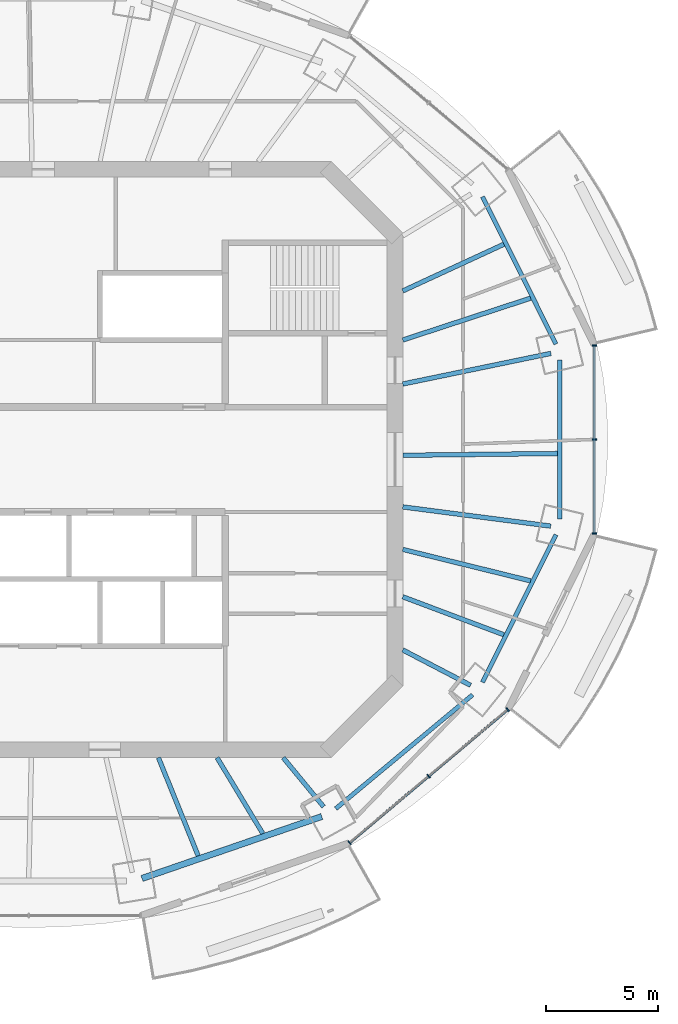
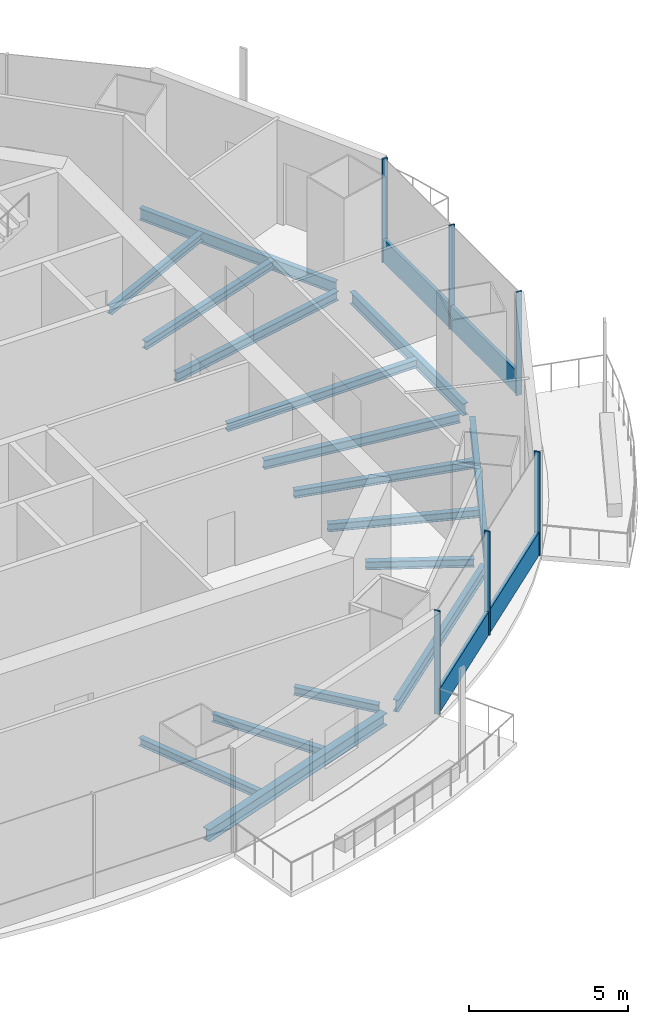
# One storey, part 4 of 16: 16 beams, 8 members, 2 elements without a shape of their own.
"""IFC4 building model written with IfcOpenShell, lengths in metres."""

from ifc_helpers import new_model, si_unit, direction, frame, origin, origin_2d, place, context, subcontext, project, spatial, rectangle, i_section, extrude, material, material_profile, profile_set, type_object, element, aggregate, save


model = new_model("IFC4")

# Units and contexts
model_context = context("Model", 3, precision=1e-05, world=origin(), true_north=direction((0.0, 1.0)))
body_context = subcontext(model_context, "Body", "Model", "MODEL_VIEW")
ifc_project = project(units=[si_unit("LENGTHUNIT", "METRE"), si_unit("AREAUNIT", "SQUARE_METRE"), si_unit("VOLUMEUNIT", "CUBIC_METRE"), si_unit("PLANEANGLEUNIT", "RADIAN"), si_unit("MASSUNIT", "GRAM", prefix="KILO")], contexts=[model_context])

# Site, building, storey
site_placement = place(None, origin())
site = spatial("IfcSite", under=ifc_project, at=site_placement, CompositionType="ELEMENT")
building_placement = place(site_placement, origin())
building = spatial("IfcBuilding", under=site, at=building_placement, Name="Marenthal Gate Tower", CompositionType="ELEMENT")
storey_placement = place(building_placement, frame((0.0, 0.0, 375.800048828125)))
storey = spatial("IfcBuildingStorey", under=building, at=storey_placement, Name="L85", CompositionType="ELEMENT", Elevation=375.800048828125)

# Curtain wall, members
ifc_material_1 = material(Name="Aluminium and glass", Category="aluminium")
curtain_wall_type = type_object("IfcCurtainWallType", Name="Curtain wall typical high", PredefinedType="NOTDEFINED", material=ifc_material_1)
curtain_wall_1_placement = place(storey_placement, origin())
curtain_wall_1 = element("IfcCurtainWall", 1, at=curtain_wall_1_placement, inside=storey, type_object=curtain_wall_type, Name="Curtain wall L85 bay 14", PredefinedType="NOTDEFINED")
ifc_material_2 = material(Name="Aluminium", Category="aluminium")
ifc_material_profile_1 = material_profile(ifc_material_2, rectangle(XDim=0.199951171875, YDim=0.06005859375, at=origin_2d()), Name="60x200 aluminium mullion")
ifc_profile_set_1 = profile_set([ifc_material_profile_1], Name="Aluminium")
member_type_1 = type_object("IfcMemberType", Name="Mullion 60x200 typical high", PredefinedType="MULLION", material=ifc_profile_set_1)
member_1_placement = place(storey_placement, frame((13.96875, -17.160888671875, 0.0), z_axis=(0.0, 0.0, 1.0), x_axis=(-0.64413508453, 0.764911754961, 0.0)))
member_1 = element("IfcMember", 2, at=member_1_placement, type_object=member_type_1, Name="Mullion L85 bay 14.1", PredefinedType="MULLION", context=body_context, shape_type="SweptSolid", body=[
    extrude(rectangle(XDim=0.199951171875, YDim=0.06005859375, at=origin_2d()), origin(), (0.0, 0.0, 1.0), 3.969970703125),
])
member_2_placement = place(storey_placement, frame((17.508056640625, -14.1806640625, 0.0), z_axis=(0.0, 0.0, 1.0), x_axis=(-0.64413508453, 0.764911754961, 0.0)))
member_2 = element("IfcMember", 3, at=member_2_placement, type_object=member_type_1, Name="Mullion L85 bay 14.2", PredefinedType="MULLION", context=body_context, shape_type="SweptSolid", body=[
    extrude(rectangle(XDim=0.199951171875, YDim=0.06005859375, at=origin_2d()), origin(), (0.0, 0.0, 1.0), 3.969970703125),
])
member_3_placement = place(storey_placement, frame((21.04736328125, -11.2001953125, 0.0), z_axis=(0.0, 0.0, 1.0), x_axis=(-0.64413508453, 0.764911754961, 0.0)))
member_3 = element("IfcMember", 4, at=member_3_placement, type_object=member_type_1, Name="Mullion L85 bay 14.3", PredefinedType="MULLION", context=body_context, shape_type="SweptSolid", body=[
    extrude(rectangle(XDim=0.199951171875, YDim=0.06005859375, at=origin_2d()), origin(), (0.0, 0.0, 1.0), 3.969970703125),
])

curtain_wall_2_placement = place(storey_placement, origin())
curtain_wall_2 = element("IfcCurtainWall", 5, at=curtain_wall_2_placement, inside=storey, type_object=curtain_wall_type, Name="Curtain wall L85 bay 16", PredefinedType="NOTDEFINED")
member_4_placement = place(storey_placement, frame((24.92578125, -3.312255859375, 0.0), z_axis=(0.0, 0.0, 1.0), x_axis=(-1.0, 0.0, 0.0)))
member_4 = element("IfcMember", 6, at=member_4_placement, type_object=member_type_1, Name="Mullion L85 bay 16.1", PredefinedType="MULLION", context=body_context, shape_type="SweptSolid", body=[
    extrude(rectangle(XDim=0.199951171875, YDim=0.06005859375, at=origin_2d()), origin(), (0.0, 0.0, 1.0), 3.969970703125),
])
member_5_placement = place(storey_placement, frame((24.92578125, 0.89990234375, 0.0), z_axis=(0.0, 0.0, 1.0), x_axis=(-1.0, 0.0, 0.0)))
member_5 = element("IfcMember", 7, at=member_5_placement, type_object=member_type_1, Name="Mullion L85 bay 16.2", PredefinedType="MULLION", context=body_context, shape_type="SweptSolid", body=[
    extrude(rectangle(XDim=0.199951171875, YDim=0.06005859375, at=origin_2d()), origin(), (0.0, 0.0, 1.0), 3.969970703125),
])
member_6_placement = place(storey_placement, frame((24.92578125, 5.1123046875, 0.0), z_axis=(0.0, 0.0, 1.0), x_axis=(-1.0, 0.0, 0.0)))
member_6 = element("IfcMember", 8, at=member_6_placement, type_object=member_type_1, Name="Mullion L85 bay 16.3", PredefinedType="MULLION", context=body_context, shape_type="SweptSolid", body=[
    extrude(rectangle(XDim=0.199951171875, YDim=0.06005859375, at=origin_2d()), origin(), (0.0, 0.0, 1.0), 3.969970703125),
])

# Member
ifc_material_3 = material(Name="Aluminium", Category="aluminium")
ifc_material_profile_2 = material_profile(ifc_material_3, rectangle(XDim=0.1201171875, YDim=0.89990234375, at=origin_2d()), Name="120x900 aluminium transom")
ifc_profile_set_2 = profile_set([ifc_material_profile_2], Name="Aluminium")
member_type_2 = type_object("IfcMemberType", Name="Transom 120x900 typical high", PredefinedType="USERDEFINED", material=ifc_profile_set_2)
member_7_placement = place(storey_placement, frame((13.99169921875, -17.1416015625, 0.449951171875), z_axis=(0.764920149863, 0.644125115435, 0.0), x_axis=(-0.644125115435, 0.764920149863, 0.0)))
member_7 = element("IfcMember", 9, at=member_7_placement, type_object=member_type_2, Name="Transom L85 bay 14", ObjectType="TRANSOM", PredefinedType="USERDEFINED", context=body_context, shape_type="SweptSolid", body=[
    extrude(rectangle(XDim=0.1201171875, YDim=0.89990234375, at=origin_2d()), origin(), (0.0, 0.0, 1.0), 9.194091796875),
])

aggregate(curtain_wall_1, [member_1, member_2, member_3, member_7])

member_8_placement = place(storey_placement, frame((24.92578125, -3.2822265625, 0.449951171875), z_axis=(0.0, 1.0, 0.0), x_axis=(-1.0, 0.0, 0.0)))
member_8 = element("IfcMember", 10, at=member_8_placement, type_object=member_type_2, Name="Transom L85 bay 16", ObjectType="TRANSOM", PredefinedType="USERDEFINED", context=body_context, shape_type="SweptSolid", body=[
    extrude(rectangle(XDim=0.1201171875, YDim=0.89990234375, at=origin_2d()), origin(), (0.0, 0.0, 1.0), 8.364501953125),
])

aggregate(curtain_wall_2, [member_4, member_5, member_6, member_8])

# Beams
ifc_material_4 = material(Name="Steel S355", Category="steel")
ifc_material_profile_3 = material_profile(ifc_material_4, i_section(OverallWidth=0.202880859375, OverallDepth=0.302001953125, WebThickness=0.007568359375, FlangeThickness=0.01318359375, FilletRadius=0.0126953125, at=origin_2d()), Name="W310X60")
ifc_profile_set_3 = profile_set([ifc_material_profile_3], Name="Steel S355")
beam_type_1 = type_object("IfcBeamType", Name="W310X60 beam", PredefinedType="BEAM", material=ifc_profile_set_3)
beam_1_placement = place(storey_placement, frame((20.876220703125, 9.639892578125, -0.3310546875), z_axis=(-0.907874801324, -0.419241392423, 0.0), x_axis=(0.419241392423, -0.907874801324, 0.0)))
element("IfcBeam", 11, at=beam_1_placement, inside=storey, type_object=beam_type_1, Name="BM-L85-18", PredefinedType="BEAM", context=body_context, shape_type="SweptSolid", body=[
    extrude(i_section(OverallWidth=0.202880859375, OverallDepth=0.302001953125, WebThickness=0.007568359375, FlangeThickness=0.01318359375, FilletRadius=0.0126953125, at=origin_2d()), origin(), (0.0, 0.0, 1.0), 4.9853515625),
])
beam_2_placement = place(storey_placement, frame((7.18994140625, -17.744384765625, -0.3310546875), z_axis=(-0.375577216906, 0.92679110599, 0.0), x_axis=(-0.92679110599, -0.375577216906, 0.0)))
element("IfcBeam", 12, at=beam_2_placement, inside=storey, type_object=beam_type_1, Name="BM-L85-34", PredefinedType="BEAM", context=body_context, shape_type="SweptSolid", body=[
    extrude(i_section(OverallWidth=0.202880859375, OverallDepth=0.302001953125, WebThickness=0.007568359375, FlangeThickness=0.01318359375, FilletRadius=0.0126953125, at=origin_2d()), origin(), (0.0, 0.0, 1.0), 4.741455078125),
])
beam_3_placement = place(storey_placement, frame((10.08154296875, -16.748046875, -0.3310546875), z_axis=(-0.515726369496, 0.856753355293, 0.0), x_axis=(-0.856753355293, -0.515726369496, 0.0)))
element("IfcBeam", 13, at=beam_3_placement, inside=storey, type_object=beam_type_1, Name="BM-L85-35", PredefinedType="BEAM", context=body_context, shape_type="SweptSolid", body=[
    extrude(i_section(OverallWidth=0.202880859375, OverallDepth=0.302001953125, WebThickness=0.007568359375, FlangeThickness=0.01318359375, FilletRadius=0.0126953125, at=origin_2d()), origin(), (0.0, 0.0, 1.0), 3.966064453125),
])
beam_4_placement = place(storey_placement, frame((20.873291015625, -7.84619140625, -0.3310546875), z_axis=(-0.936056897924, 0.351848666117, 0.0), x_axis=(-0.351848666117, -0.936056897924, 0.0)))
element("IfcBeam", 14, at=beam_4_placement, inside=storey, type_object=beam_type_1, Name="BM-L85-36", PredefinedType="BEAM", context=body_context, shape_type="SweptSolid", body=[
    extrude(i_section(OverallWidth=0.202880859375, OverallDepth=0.302001953125, WebThickness=0.007568359375, FlangeThickness=0.01318359375, FilletRadius=0.0126953125, at=origin_2d()), origin(), (0.0, 0.0, 1.0), 4.832275390625),
])
beam_5_placement = place(storey_placement, frame((22.07470703125, -5.43359375, -0.3310546875), z_axis=(-0.971013104532, 0.239026255517, 0.0), x_axis=(-0.239026255517, -0.971013104532, 0.0)))
element("IfcBeam", 15, at=beam_5_placement, inside=storey, type_object=beam_type_1, Name="BM-L85-37", PredefinedType="BEAM", context=body_context, shape_type="SweptSolid", body=[
    extrude(i_section(OverallWidth=0.202880859375, OverallDepth=0.302001953125, WebThickness=0.007568359375, FlangeThickness=0.01318359375, FilletRadius=0.0126953125, at=origin_2d()), origin(), (0.0, 0.0, 1.0), 5.8955078125),
])
ifc_material_5 = material(Name="Steel S355", Category="steel")
ifc_material_profile_4 = material_profile(ifc_material_5, i_section(OverallWidth=0.205078125, OverallDepth=0.31005859375, WebThickness=0.009521484375, FlangeThickness=0.016357421875, FilletRadius=0.0126953125, at=origin_2d()), Name="W310X74")
ifc_profile_set_4 = profile_set([ifc_material_profile_4], Name="Steel S355")
beam_type_2 = type_object("IfcBeamType", Name="W310X74 beam", PredefinedType="BEAM", material=ifc_profile_set_4)
beam_6_placement = place(storey_placement, frame((12.80419921875, -15.546142578125, -0.3349609375), z_axis=(-0.635776430195, 0.771873260846, 0.0), x_axis=(-0.771873260846, -0.635776430195, 0.0)))
element("IfcBeam", 16, at=beam_6_placement, inside=storey, type_object=beam_type_2, Name="BM-L85-14", PredefinedType="BEAM", context=body_context, shape_type="SweptSolid", body=[
    extrude(i_section(OverallWidth=0.205078125, OverallDepth=0.31005859375, WebThickness=0.009521484375, FlangeThickness=0.016357421875, FilletRadius=0.0126953125, at=origin_2d()), origin(), (0.0, 0.0, 1.0), 2.844970703125),
])
beam_7_placement = place(storey_placement, frame((19.38623046875, -10.110107421875, -0.3349609375), z_axis=(-0.886653485234, 0.462434424673, 0.0), x_axis=(-0.462434424673, -0.886653485234, 0.0)))
element("IfcBeam", 17, at=beam_7_placement, inside=storey, type_object=beam_type_2, Name="BM-L85-15", PredefinedType="BEAM", context=body_context, shape_type="SweptSolid", body=[
    extrude(i_section(OverallWidth=0.205078125, OverallDepth=0.31005859375, WebThickness=0.009521484375, FlangeThickness=0.016357421875, FilletRadius=0.0126953125, at=origin_2d()), origin(), (0.0, 0.0, 1.0), 3.42431640625),
])
beam_8_placement = place(storey_placement, frame((22.077880859375, 7.22705078125, -0.3349609375), z_axis=(-0.9503749188, -0.311106916857, 0.0), x_axis=(0.311106916857, -0.9503749188, 0.0)))
element("IfcBeam", 18, at=beam_8_placement, inside=storey, type_object=beam_type_2, Name="BM-L85-17", PredefinedType="BEAM", context=body_context, shape_type="SweptSolid", body=[
    extrude(i_section(OverallWidth=0.205078125, OverallDepth=0.31005859375, WebThickness=0.009521484375, FlangeThickness=0.016357421875, FilletRadius=0.0126953125, at=origin_2d()), origin(), (0.0, 0.0, 1.0), 6.02685546875),
])
beam_9_placement = place(storey_placement, frame((23.28076171875, 0.26953125, -0.3349609375), z_axis=(-0.999932849622, -0.011588625741, 0.0), x_axis=(0.011588625741, -0.999932849622, 0.0)))
element("IfcBeam", 19, at=beam_9_placement, inside=storey, type_object=beam_type_2, Name="BM-L85-38", PredefinedType="BEAM", context=body_context, shape_type="SweptSolid", body=[
    extrude(i_section(OverallWidth=0.205078125, OverallDepth=0.31005859375, WebThickness=0.009521484375, FlangeThickness=0.016357421875, FilletRadius=0.0126953125, at=origin_2d()), origin(), (0.0, 0.0, 1.0), 6.93115234375),
])
ifc_material_6 = material(Name="Steel S355", Category="steel")
ifc_material_profile_5 = material_profile(ifc_material_6, i_section(OverallWidth=0.205078125, OverallDepth=0.35302734375, WebThickness=0.009521484375, FlangeThickness=0.016845703125, FilletRadius=0.014892578125, at=origin_2d()), Name="W360X79")
ifc_profile_set_5 = profile_set([ifc_material_profile_5], Name="Steel S355")
beam_type_3 = type_object("IfcBeamType", Name="W360X79 beam", PredefinedType="BEAM", material=ifc_profile_set_5)
beam_10_placement = place(storey_placement, frame((22.98388671875, 4.7529296875, -0.3564453125), z_axis=(-0.979280386775, -0.202509071592, 0.0), x_axis=(0.202509071592, -0.979280386775, 0.0)))
element("IfcBeam", 20, at=beam_10_placement, inside=storey, type_object=beam_type_3, Name="BM-L85-01", PredefinedType="BEAM", context=body_context, shape_type="SweptSolid", body=[
    extrude(i_section(OverallWidth=0.205078125, OverallDepth=0.35302734375, WebThickness=0.009521484375, FlangeThickness=0.016845703125, FilletRadius=0.014892578125, at=origin_2d()), origin(), (0.0, 0.0, 1.0), 6.774169921875),
])
beam_11_placement = place(storey_placement, frame((22.974609375, -2.98193359375, -0.3564453125), z_axis=(-0.991680921641, 0.128720432152, 0.0), x_axis=(-0.128720432152, -0.991680921641, 0.0)))
element("IfcBeam", 21, at=beam_11_placement, inside=storey, type_object=beam_type_3, Name="BM-L85-16", PredefinedType="BEAM", context=body_context, shape_type="SweptSolid", body=[
    extrude(i_section(OverallWidth=0.205078125, OverallDepth=0.35302734375, WebThickness=0.009521484375, FlangeThickness=0.016845703125, FilletRadius=0.014892578125, at=origin_2d()), origin(), (0.0, 0.0, 1.0), 6.68017578125),
])
ifc_material_7 = material(Name="Steel S355", Category="steel")
ifc_material_profile_6 = material_profile(ifc_material_7, i_section(OverallWidth=0.279052734375, OverallDepth=0.4619140625, WebThickness=0.0107421875, FlangeThickness=0.017333984375, FilletRadius=0.010009765625, at=origin_2d()), Name="W460X113")
ifc_profile_set_6 = profile_set([ifc_material_profile_6], Name="Steel S355")
beam_type_4 = type_object("IfcBeamType", Name="W460X113 beam", PredefinedType="BEAM", material=ifc_profile_set_6)
beam_12_placement = place(storey_placement, frame((4.671875, -18.759521484375, -0.4111328125), z_axis=(0.945450630653, 0.32576541406, 0.0), x_axis=(-0.32576541406, 0.945450630653, 0.0)))
element("IfcBeam", 22, at=beam_12_placement, inside=storey, type_object=beam_type_4, Name="BM-L85-51", PredefinedType="BEAM", context=body_context, shape_type="SweptSolid", body=[
    extrude(i_section(OverallWidth=0.279052734375, OverallDepth=0.4619140625, WebThickness=0.0107421875, FlangeThickness=0.017333984375, FilletRadius=0.010009765625, at=origin_2d()), origin(), (0.0, 0.0, 1.0), 8.517333984375),
])
ifc_material_8 = material(Name="Steel S355", Category="steel")
ifc_material_profile_7 = material_profile(ifc_material_8, i_section(OverallWidth=0.19091796875, OverallDepth=0.45703125, WebThickness=0.009033203125, FlangeThickness=0.014404296875, FilletRadius=0.01025390625, at=origin_2d()), Name="W460X74")
ifc_profile_set_7 = profile_set([ifc_material_profile_7], Name="Steel S355")
beam_type_5 = type_object("IfcBeamType", Name="W460X74 beam", PredefinedType="BEAM", material=ifc_profile_set_7)
beam_13_placement = place(storey_placement, frame((23.210205078125, 5.16748046875, -0.408447265625), z_axis=(-0.445757037606, 0.895153988666, 0.0), x_axis=(-0.895153988666, -0.445757037606, 0.0)))
element("IfcBeam", 23, at=beam_13_placement, inside=storey, type_object=beam_type_5, Name="BM-L85-39", PredefinedType="BEAM", context=body_context, shape_type="SweptSolid", body=[
    extrude(i_section(OverallWidth=0.19091796875, OverallDepth=0.45703125, WebThickness=0.009033203125, FlangeThickness=0.014404296875, FilletRadius=0.01025390625, at=origin_2d()), origin(), (0.0, 0.0, 1.0), 7.3779296875),
])
beam_14_placement = place(storey_placement, frame((13.3486328125, -15.63330078125, -0.408447265625), z_axis=(0.76879863702, 0.639490934819, 0.0), x_axis=(-0.639490934819, 0.76879863702, 0.0)))
element("IfcBeam", 24, at=beam_14_placement, inside=storey, type_object=beam_type_5, Name="BM-L85-52", PredefinedType="BEAM", context=body_context, shape_type="SweptSolid", body=[
    extrude(i_section(OverallWidth=0.19091796875, OverallDepth=0.45703125, WebThickness=0.009033203125, FlangeThickness=0.014404296875, FilletRadius=0.01025390625, at=origin_2d()), origin(), (0.0, 0.0, 1.0), 7.967529296875),
])
beam_15_placement = place(storey_placement, frame((19.92138671875, -9.971923828125, -0.408447265625), z_axis=(0.445757037606, 0.895153988666, 0.0), x_axis=(-0.895153988666, 0.445757037606, 0.0)))
element("IfcBeam", 25, at=beam_15_placement, inside=storey, type_object=beam_type_5, Name="BM-L85-53", PredefinedType="BEAM", context=body_context, shape_type="SweptSolid", body=[
    extrude(i_section(OverallWidth=0.19091796875, OverallDepth=0.45703125, WebThickness=0.009033203125, FlangeThickness=0.014404296875, FilletRadius=0.01025390625, at=origin_2d()), origin(), (0.0, 0.0, 1.0), 7.3779296875),
])
beam_16_placement = place(storey_placement, frame((23.376220703125, -2.659912109375, -0.408447265625), z_axis=(0.0, 1.0, 0.0), x_axis=(-1.0, 0.0, 0.0)))
element("IfcBeam", 26, at=beam_16_placement, inside=storey, type_object=beam_type_5, Name="BM-L85-54", PredefinedType="BEAM", context=body_context, shape_type="SweptSolid", body=[
    extrude(i_section(OverallWidth=0.19091796875, OverallDepth=0.45703125, WebThickness=0.009033203125, FlangeThickness=0.014404296875, FilletRadius=0.01025390625, at=origin_2d()), origin(), (0.0, 0.0, 1.0), 7.119873046875),
])

save(model, "model.ifc")
